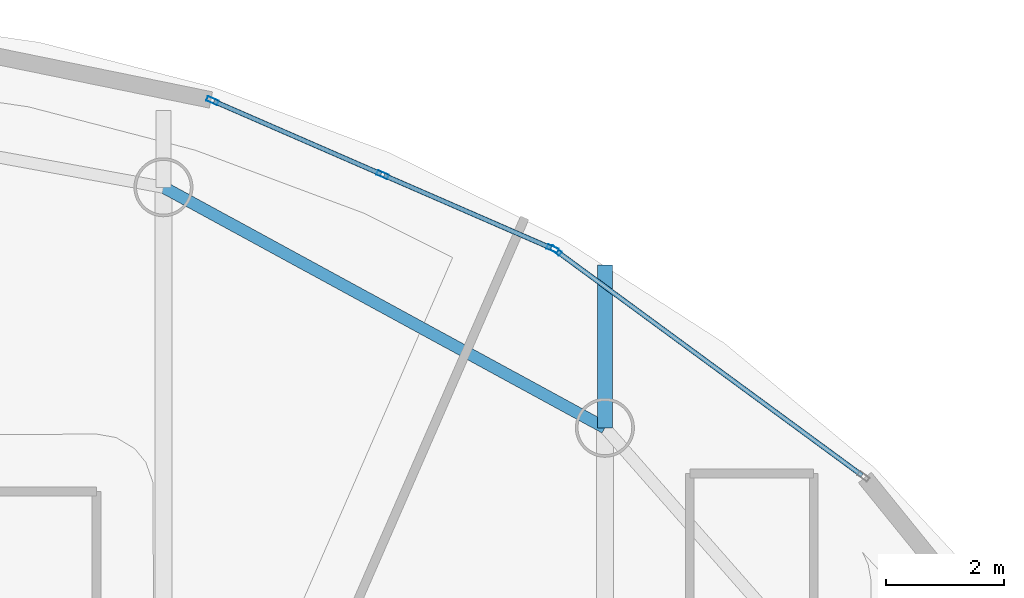
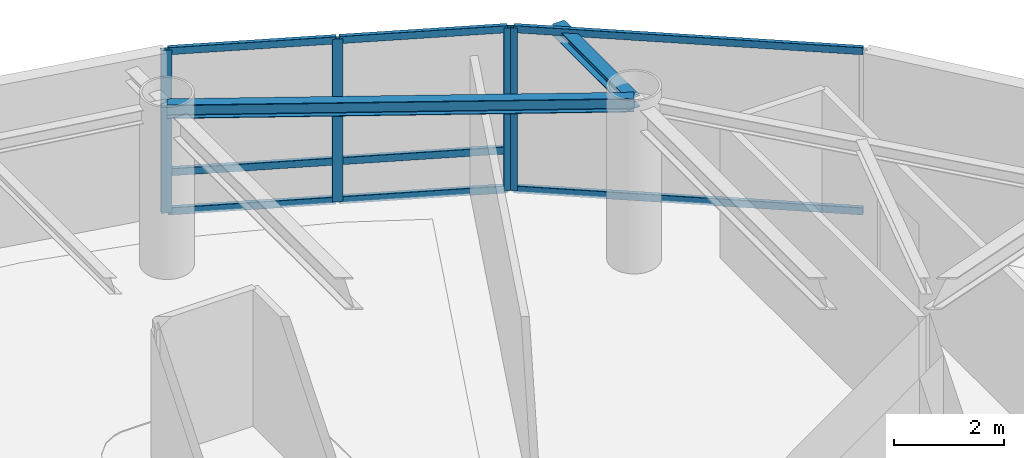
# One storey, part 12 of 20: 12 members, 2 beams, 2 elements without a shape of their own.
"""IFC4 building model written with IfcOpenShell, lengths in metres."""

from ifc_helpers import new_model, si_unit, direction, frame, origin, origin_2d, place, context, subcontext, project, spatial, hollow_rectangle, i_section, extrude, material, layer, layer_set, material_profile, profile_set, type_object, element, aggregate, save


model = new_model("IFC4")

# Units and contexts
model_context = context("Model", 3, precision=1e-05, world=origin(), true_north=direction((0.0, 1.0)))
body_context = subcontext(model_context, "Body", "Model", "MODEL_VIEW")
ifc_project = project(units=[si_unit("LENGTHUNIT", "METRE"), si_unit("AREAUNIT", "SQUARE_METRE"), si_unit("VOLUMEUNIT", "CUBIC_METRE"), si_unit("PLANEANGLEUNIT", "RADIAN"), si_unit("MASSUNIT", "GRAM", prefix="KILO")], contexts=[model_context])

# Site, building, storey
site_placement = place(None, origin())
site = spatial("IfcSite", under=ifc_project, at=site_placement, CompositionType="ELEMENT")
building_placement = place(site_placement, origin())
building = spatial("IfcBuilding", under=site, at=building_placement, Name="Bramvorn Convention Spire", CompositionType="ELEMENT")
storey_placement = place(building_placement, frame((0.0, 0.0, 269.0)))
storey = spatial("IfcBuildingStorey", under=building, at=storey_placement, Name="L68", CompositionType="ELEMENT", Elevation=269.0)

# Beams
ifc_material_1 = material(Name="Steel CSA G40.21 Grade 350 (350W)", Category="steel")
ifc_material_profile_1 = material_profile(ifc_material_1, i_section(OverallWidth=0.25390625, OverallDepth=0.2529296875, WebThickness=0.008544921875, FlangeThickness=0.01416015625, FilletRadius=0.011962890625, at=origin_2d()))
ifc_profile_set_1 = profile_set([ifc_material_profile_1], Name="Steel CSA G40.21 Grade 350 (350W) - W250X73")
beam_type_1 = type_object("IfcBeamType", Name="BM-W250X73", PredefinedType="BEAM", material=ifc_profile_set_1)
beam_1_placement = place(storey_placement, frame((47.662353515625, 41.476806640625, 3.45849609375), z_axis=(0.0, 1.0, 0.0), x_axis=(-1.0, 0.0, 0.0)))
element("IfcBeam", 1, at=beam_1_placement, inside=storey, type_object=beam_type_1, Name="L68 slab-edge cantilever tip beam MC06", PredefinedType="BEAM", context=body_context, shape_type="SweptSolid", body=[
    extrude(i_section(OverallWidth=0.25390625, OverallDepth=0.2529296875, WebThickness=0.008544921875, FlangeThickness=0.01416015625, FilletRadius=0.011962890625, at=origin_2d()), origin(), (0.0, 0.0, 1.0), 2.7568359375),
])
ifc_material_profile_2 = material_profile(ifc_material_1, i_section(OverallWidth=0.202880859375, OverallDepth=0.302978515625, WebThickness=0.007568359375, FlangeThickness=0.01318359375, FilletRadius=0.013916015625, at=origin_2d()))
ifc_profile_set_2 = profile_set([ifc_material_profile_2], Name="Steel CSA G40.21 Grade 350 (350W) - W310X60")
beam_type_2 = type_object("IfcBeamType", Name="BM-W310X60", PredefinedType="JOIST", material=ifc_profile_set_2)
beam_2_placement = place(storey_placement, frame((47.662353515625, 41.476806640625, 3.473388671875), z_axis=(-0.878133224771, 0.478416178189, 0.0), x_axis=(-0.478416178189, -0.878133224771, 0.0)))
element("IfcBeam", 2, at=beam_2_placement, inside=storey, type_object=beam_type_2, Name="L68 mega-column ring beam 06", PredefinedType="JOIST", context=body_context, shape_type="SweptSolid", body=[
    extrude(i_section(OverallWidth=0.202880859375, OverallDepth=0.302978515625, WebThickness=0.007568359375, FlangeThickness=0.01318359375, FilletRadius=0.013916015625, at=origin_2d()), origin(), (0.0, 0.0, 1.0), 8.515625),
])

# Curtain wall, member
ifc_material_2 = material(Name="Anodised Bronze Unitised Curtain Wall", Category="aluminium")
ifc_layer = layer(ifc_material_2, 0.179931640625)
ifc_layer_set = layer_set([ifc_layer], Name="Anodised Bronze Unitised Curtain Wall - CW-OFF-FRIT")
curtain_wall_type = type_object("IfcCurtainWallType", Name="CW-OFF-FRIT", PredefinedType="USERDEFINED", material=ifc_layer_set)
curtain_wall_1_placement = place(storey_placement, origin())
curtain_wall_1 = element("IfcCurtainWall", 3, at=curtain_wall_1_placement, inside=storey, type_object=curtain_wall_type, Name="L68 fritted glass curtain wall 08", ObjectType="UNITISED CURTAIN WALL", PredefinedType="USERDEFINED")
ifc_material_3 = material(Name="Anodised Bronze Aluminium 6063-T6", Category="aluminium")
ifc_material_profile_3 = material_profile(ifc_material_3, hollow_rectangle(XDim=0.080078125, YDim=0.199951171875, WallThickness=0.00390625, InnerFilletRadius=0.0009765625, OuterFilletRadius=0.00390625, at=origin_2d()))
ifc_profile_set_3 = profile_set([ifc_material_profile_3], Name="Anodised Bronze Aluminium 6063-T6 - CWM80X200")
member_type_1 = type_object("IfcMemberType", Name="CW-MUL-180", PredefinedType="MULLION", material=ifc_profile_set_3)
member_1_placement = place(storey_placement, frame((46.830078125, 44.4794921875, 0.0), z_axis=(0.0, 0.0, 1.0), x_axis=(0.591903592512, 0.806008769909, 0.0)))
member_1 = element("IfcMember", 4, at=member_1_placement, type_object=member_type_1, Name="CW3 mullion 1", PredefinedType="MULLION", context=body_context, shape_type="SweptSolid", body=[
    extrude(hollow_rectangle(XDim=0.080078125, YDim=0.199951171875, WallThickness=0.00390625, InnerFilletRadius=0.0009765625, OuterFilletRadius=0.00390625, at=origin_2d()), origin(), (0.0, 0.0, 1.0), 3.625),
])

# Curtain wall, members
curtain_wall_2_placement = place(storey_placement, origin())
curtain_wall_2 = element("IfcCurtainWall", 5, at=curtain_wall_2_placement, inside=storey, type_object=curtain_wall_type, Name="L68 fritted glass curtain wall 09", ObjectType="UNITISED CURTAIN WALL", PredefinedType="USERDEFINED")
member_2_placement = place(storey_placement, frame((41.015380859375, 47.017578125, 0.0), z_axis=(0.0, 0.0, 1.0), x_axis=(0.399088558524, 0.916912385376, 0.0)))
member_2 = element("IfcMember", 6, at=member_2_placement, type_object=member_type_1, Name="CW3 mullion 1", PredefinedType="MULLION", context=body_context, shape_type="SweptSolid", body=[
    extrude(hollow_rectangle(XDim=0.080078125, YDim=0.199951171875, WallThickness=0.00390625, InnerFilletRadius=0.0009765625, OuterFilletRadius=0.00390625, at=origin_2d()), origin(), (0.0, 0.0, 1.0), 3.625),
])
member_3_placement = place(storey_placement, frame((43.89697265625, 45.763427734375, 0.0), z_axis=(0.0, 0.0, 1.0), x_axis=(0.399088558524, 0.916912385376, 0.0)))
member_3 = element("IfcMember", 7, at=member_3_placement, type_object=member_type_1, Name="CW3 mullion 2", PredefinedType="MULLION", context=body_context, shape_type="SweptSolid", body=[
    extrude(hollow_rectangle(XDim=0.080078125, YDim=0.199951171875, WallThickness=0.00390625, InnerFilletRadius=0.0009765625, OuterFilletRadius=0.00390625, at=origin_2d()), origin(), (0.0, 0.0, 1.0), 3.625),
])
member_4_placement = place(storey_placement, frame((46.7783203125, 44.50927734375, 0.0), z_axis=(0.0, 0.0, 1.0), x_axis=(0.399088558524, 0.916912385376, 0.0)))
member_4 = element("IfcMember", 8, at=member_4_placement, type_object=member_type_1, Name="CW3 mullion 3", PredefinedType="MULLION", context=body_context, shape_type="SweptSolid", body=[
    extrude(hollow_rectangle(XDim=0.080078125, YDim=0.199951171875, WallThickness=0.00390625, InnerFilletRadius=0.0009765625, OuterFilletRadius=0.00390625, at=origin_2d()), origin(), (0.0, 0.0, 1.0), 3.625),
])

# Member
ifc_material_profile_4 = material_profile(ifc_material_3, hollow_rectangle(XDim=0.080078125, YDim=0.159912109375, WallThickness=0.00390625, InnerFilletRadius=0.0009765625, OuterFilletRadius=0.00390625, at=origin_2d()))
ifc_profile_set_4 = profile_set([ifc_material_profile_4], Name="Anodised Bronze Aluminium 6063-T6 - CWT80X160")
member_type_2 = type_object("IfcMemberType", Name="CW-TRN-150", PredefinedType="USERDEFINED", material=ifc_profile_set_4)
member_5_placement = place(storey_placement, frame((46.854248046875, 44.461669921875, 0.030029296875), z_axis=(0.80602317877, -0.591883971134, 0.0), x_axis=(0.591883971134, 0.80602317877, 0.0)))
member_5 = element("IfcMember", 9, at=member_5_placement, type_object=member_type_2, Name="CW3 transom 1.1", ObjectType="TRANSOM", PredefinedType="USERDEFINED", context=body_context, shape_type="SweptSolid", body=[
    extrude(hollow_rectangle(XDim=0.080078125, YDim=0.159912109375, WallThickness=0.00390625, InnerFilletRadius=0.0009765625, OuterFilletRadius=0.00390625, at=origin_2d()), origin(), (0.0, 0.0, 1.0), 6.40625),
])

member_6_placement = place(storey_placement, frame((46.854248046875, 44.461669921875, 3.594970703125), z_axis=(0.80602317877, -0.591883971134, 0.0), x_axis=(0.591883971134, 0.80602317877, 0.0)))
member_6 = element("IfcMember", 10, at=member_6_placement, type_object=member_type_2, Name="CW3 transom 1.2", ObjectType="TRANSOM", PredefinedType="USERDEFINED", context=body_context, shape_type="SweptSolid", body=[
    extrude(hollow_rectangle(XDim=0.080078125, YDim=0.159912109375, WallThickness=0.00390625, InnerFilletRadius=0.0009765625, OuterFilletRadius=0.00390625, at=origin_2d()), origin(), (0.0, 0.0, 1.0), 6.40625),
])

aggregate(curtain_wall_1, [member_1, member_5, member_6])

member_7_placement = place(storey_placement, frame((41.04296875, 47.005615234375, 0.030029296875), z_axis=(0.916910069493, -0.399093879259, 0.0), x_axis=(0.399093879259, 0.916910069493, 0.0)))
member_7 = element("IfcMember", 11, at=member_7_placement, type_object=member_type_2, Name="CW3 transom 1.1", ObjectType="TRANSOM", PredefinedType="USERDEFINED", context=body_context, shape_type="SweptSolid", body=[
    extrude(hollow_rectangle(XDim=0.080078125, YDim=0.159912109375, WallThickness=0.00390625, InnerFilletRadius=0.0009765625, OuterFilletRadius=0.00390625, at=origin_2d()), origin(), (0.0, 0.0, 1.0), 3.08251953125),
])

member_8_placement = place(storey_placement, frame((41.04296875, 47.005615234375, 0.89990234375), z_axis=(0.916910069493, -0.399093879259, 0.0), x_axis=(0.399093879259, 0.916910069493, 0.0)))
member_8 = element("IfcMember", 12, at=member_8_placement, type_object=member_type_2, Name="CW3 transom 1.2", ObjectType="TRANSOM", PredefinedType="USERDEFINED", context=body_context, shape_type="SweptSolid", body=[
    extrude(hollow_rectangle(XDim=0.080078125, YDim=0.159912109375, WallThickness=0.00390625, InnerFilletRadius=0.0009765625, OuterFilletRadius=0.00390625, at=origin_2d()), origin(), (0.0, 0.0, 1.0), 3.08251953125),
])

member_9_placement = place(storey_placement, frame((41.04296875, 47.005615234375, 3.594970703125), z_axis=(0.916910069493, -0.399093879259, 0.0), x_axis=(0.399093879259, 0.916910069493, 0.0)))
member_9 = element("IfcMember", 13, at=member_9_placement, type_object=member_type_2, Name="CW3 transom 1.3", ObjectType="TRANSOM", PredefinedType="USERDEFINED", context=body_context, shape_type="SweptSolid", body=[
    extrude(hollow_rectangle(XDim=0.080078125, YDim=0.159912109375, WallThickness=0.00390625, InnerFilletRadius=0.0009765625, OuterFilletRadius=0.00390625, at=origin_2d()), origin(), (0.0, 0.0, 1.0), 3.08251953125),
])

member_10_placement = place(storey_placement, frame((43.92431640625, 45.75146484375, 0.030029296875), z_axis=(0.916922682933, -0.399064898886, 0.0), x_axis=(0.399064898886, 0.916922682933, 0.0)))
member_10 = element("IfcMember", 14, at=member_10_placement, type_object=member_type_2, Name="CW3 transom 2.1", ObjectType="TRANSOM", PredefinedType="USERDEFINED", context=body_context, shape_type="SweptSolid", body=[
    extrude(hollow_rectangle(XDim=0.080078125, YDim=0.159912109375, WallThickness=0.00390625, InnerFilletRadius=0.0009765625, OuterFilletRadius=0.00390625, at=origin_2d()), origin(), (0.0, 0.0, 1.0), 3.082763671875),
])

member_11_placement = place(storey_placement, frame((43.92431640625, 45.75146484375, 0.89990234375), z_axis=(0.916922682933, -0.399064898886, 0.0), x_axis=(0.399064898886, 0.916922682933, 0.0)))
member_11 = element("IfcMember", 15, at=member_11_placement, type_object=member_type_2, Name="CW3 transom 2.2", ObjectType="TRANSOM", PredefinedType="USERDEFINED", context=body_context, shape_type="SweptSolid", body=[
    extrude(hollow_rectangle(XDim=0.080078125, YDim=0.159912109375, WallThickness=0.00390625, InnerFilletRadius=0.0009765625, OuterFilletRadius=0.00390625, at=origin_2d()), origin(), (0.0, 0.0, 1.0), 3.082763671875),
])

member_12_placement = place(storey_placement, frame((43.92431640625, 45.75146484375, 3.594970703125), z_axis=(0.916922682933, -0.399064898886, 0.0), x_axis=(0.399064898886, 0.916922682933, 0.0)))
member_12 = element("IfcMember", 16, at=member_12_placement, type_object=member_type_2, Name="CW3 transom 2.3", ObjectType="TRANSOM", PredefinedType="USERDEFINED", context=body_context, shape_type="SweptSolid", body=[
    extrude(hollow_rectangle(XDim=0.080078125, YDim=0.159912109375, WallThickness=0.00390625, InnerFilletRadius=0.0009765625, OuterFilletRadius=0.00390625, at=origin_2d()), origin(), (0.0, 0.0, 1.0), 3.082763671875),
])

aggregate(curtain_wall_2, [member_2, member_3, member_4, member_7, member_8, member_9, member_10, member_11, member_12])

save(model, "model.ifc")
